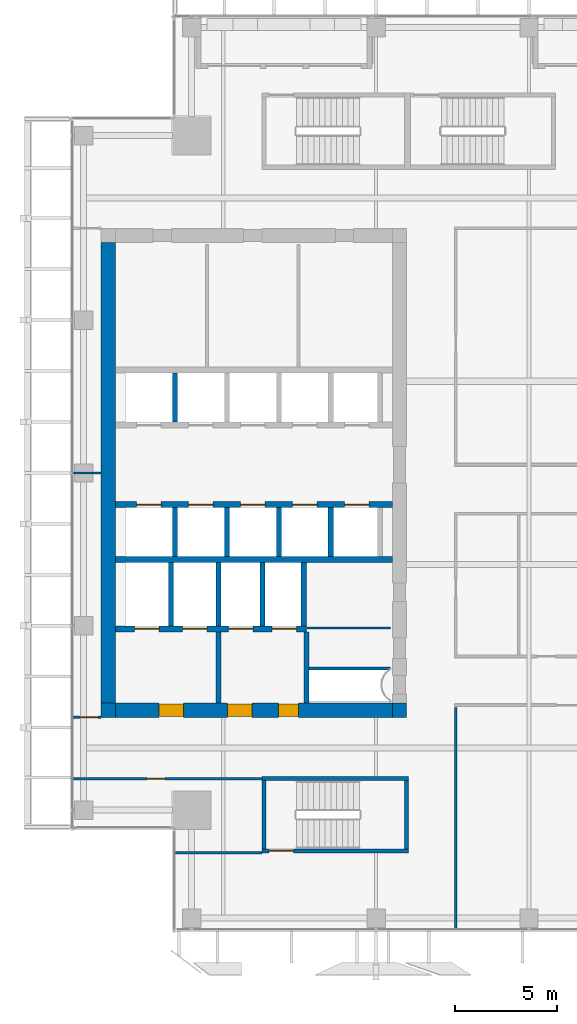
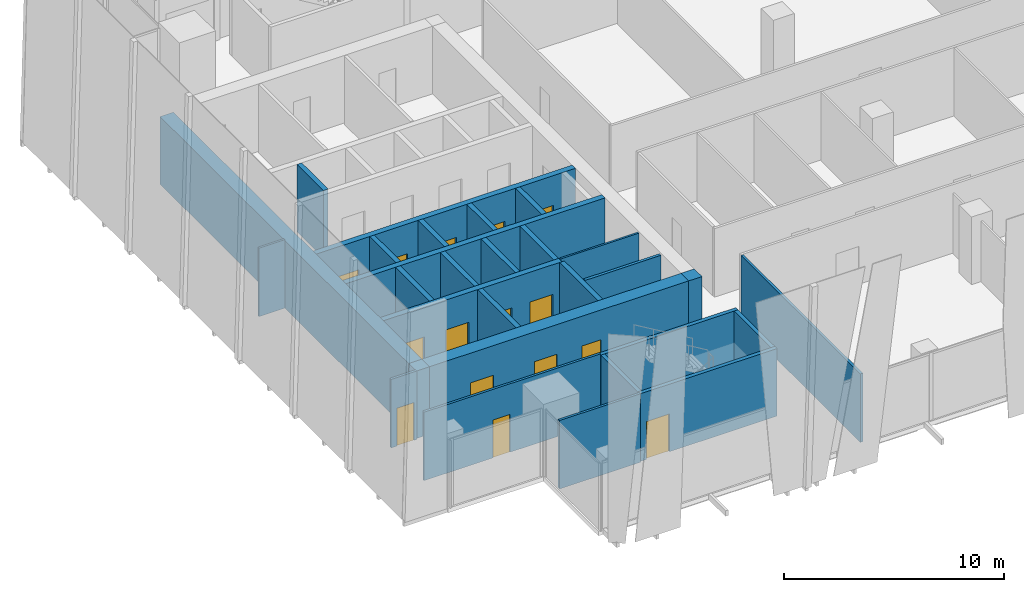
# One storey, part 26 of 33: 29 walls, 15 doors, 15 openings.
"""IFC4 building model written with IfcOpenShell, lengths in metres."""

from ifc_helpers import new_model, si_unit, direction, frame, frame_2d, origin, place, context, subcontext, project, spatial, rectangle, extrude, source, transform, mapped, material, layer, layer_set, type_object, element, fill, save


model = new_model("IFC4")

# Units and contexts
model_context = context("Model", 3, precision=1e-05, world=origin(), true_north=direction((0.0, 1.0)))
body_context = subcontext(model_context, "Body", "Model", "MODEL_VIEW")
ifc_project = project(units=[si_unit("LENGTHUNIT", "METRE"), si_unit("AREAUNIT", "SQUARE_METRE"), si_unit("VOLUMEUNIT", "CUBIC_METRE"), si_unit("PLANEANGLEUNIT", "RADIAN"), si_unit("MASSUNIT", "GRAM", prefix="KILO")], contexts=[model_context])

# Site, building, storey
site_placement = place(None, origin())
site = spatial("IfcSite", under=ifc_project, at=site_placement, CompositionType="ELEMENT")
building_placement = place(site_placement, origin())
building = spatial("IfcBuilding", under=site, at=building_placement, Name="Khomas Fold Tower", CompositionType="ELEMENT")
storey_placement = place(building_placement, frame((0.0, 0.0, 234.199951171875)))
storey = spatial("IfcBuildingStorey", under=building, at=storey_placement, Name="L52", CompositionType="ELEMENT", Elevation=234.199951171875)

# Wall
ifc_material_1 = material(Name="Concrete C50/60", Category="concrete")
ifc_layer_1 = layer(ifc_material_1, 0.199951171875)
ifc_layer_set_1 = layer_set([ifc_layer_1], Name="Concrete C50/60")
wall_type_1 = type_object("IfcWallType", Name="Stair wall 200", PredefinedType="SHEAR", material=ifc_layer_set_1)
shared_shape_1 = source(origin(), body_context, "Body", "SweptSolid", [
    extrude(rectangle(XDim=7.2001953125, YDim=0.199951171875, at=frame_2d((3.60009765625, 0.0))), origin(), (0.0, 0.0, 1.0), 3.75),
])
wall_1_placement = place(storey_placement, frame((13.89990234375, 12.0, 0.0), z_axis=(0.0, 0.0, 1.0), x_axis=(1.0, 0.0, 0.0)))
element("IfcWall", 1, at=wall_1_placement, inside=storey, type_object=wall_type_1, Name="Stair wall SW-ST2-NH", PredefinedType="SHEAR", context=body_context, shape_type="MappedRepresentation", body=[
    mapped(shared_shape_1, transform((0.0, 0.0, 0.0))),
])

# Wall, opening, door
wall_2_placement = place(storey_placement, frame((13.89990234375, 8.449951171875, 0.0), z_axis=(0.0, 0.0, 1.0), x_axis=(1.0, 0.0, 0.0)))
wall_2 = element("IfcWall", 2, at=wall_2_placement, inside=storey, type_object=wall_type_1, Name="Stair wall SW-ST2-S", PredefinedType="SHEAR", context=body_context, shape_type="MappedRepresentation", body=[
    mapped(shared_shape_1, transform((0.0, 0.0, 0.0))),
])
shared_shape_2 = source(origin(), body_context, "Body", "SweptSolid", [
    extrude(rectangle(XDim=1.199951171875, YDim=2.10009765625, at=frame_2d((0.60009765625, 1.050048828125))), frame((0.0, 0.10986328125, 0.0), z_axis=(0.0, -1.0, 0.0), x_axis=(1.0, 0.0, 0.0)), (0.0, 0.0, 1.0), 0.219970703125),
])
opening_1_placement = place(wall_2_placement, frame((0.35009765625, 0.0, 0.0)))
opening_1 = element("IfcOpeningElement", 3, at=opening_1_placement, cuts=wall_2, Name="Opening SD-ST2", PredefinedType="OPENING", context=body_context, shape_type="MappedRepresentation", body=[
    mapped(shared_shape_2, transform((0.0, 0.0, 0.0))),
])
ifc_material_2 = material(Name="Steel door leaf", Category="steel")
door_type_1 = type_object("IfcDoorType", Name="Stair door 1200x2100 right-hand", OperationType="SINGLE_SWING_RIGHT", PredefinedType="DOOR", material=ifc_material_2)
shared_shape_3 = source(origin(), body_context, "Body", "SweptSolid", [
    extrude(rectangle(XDim=1.199951171875, YDim=2.10009765625, at=frame_2d((0.60009765625, 1.050048828125))), frame((0.0, 0.02490234375, 0.0), z_axis=(0.0, -1.0, 0.0), x_axis=(1.0, 0.0, 0.0)), (0.0, 0.0, 1.0), 0.050048828125),
])
door_1_placement = place(opening_1_placement, origin())
door_1 = element("IfcDoor", 4, at=door_1_placement, inside=storey, type_object=door_type_1, Name="Stair door", OperationType="SINGLE_SWING_RIGHT", OverallHeight=2.10009765625, OverallWidth=1.199951171875, PredefinedType="DOOR", context=body_context, shape_type="MappedRepresentation", body=[
    mapped(shared_shape_3, transform((0.0, 0.0, 0.0))),
])
fill(opening_1, door_1)

# Walls
shared_shape_4 = source(origin(), body_context, "Body", "SweptSolid", [
    extrude(rectangle(XDim=3.349853515625, YDim=0.199951171875, at=frame_2d((1.6748046875, 0.0))), origin(), (0.0, 0.0, 1.0), 3.75),
])
for number, where, z_axis, x_axis, name in (
    (5, (21.0, 8.550048828125, 0.0), (0.0, 0.0, 1.0), (0.0, 1.0, 0.0), "Stair wall SW-ST2-E"),
    (6, (14.0, 8.550048828125, 0.0), (0.0, 0.0, 1.0), (0.0, 1.0, 0.0), "Stair wall SW-ST2-W"),
):
    element("IfcWall", number, at=place(storey_placement, frame(where, z_axis=z_axis, x_axis=x_axis)), inside=storey, type_object=wall_type_1, Name=name, PredefinedType="SHEAR", context=body_context, shape_type="MappedRepresentation", body=[
        mapped(shared_shape_4, transform((0.0, 0.0, 0.0))),
    ])
ifc_material_3 = material(Name="Concrete C50/60", Category="concrete")
ifc_layer_2 = layer(ifc_material_3, 0.25)
ifc_layer_set_2 = layer_set([ifc_layer_2], Name="Concrete C50/60")
wall_type_2 = type_object("IfcWallType", Name="Shaft wall 250", PredefinedType="STANDARD", material=ifc_layer_set_2)
shared_shape_5 = source(origin(), body_context, "Body", "SweptSolid", [
    extrude(rectangle(XDim=3.10009765625, YDim=0.25, at=frame_2d((1.550048828125, 0.0))), origin(), (0.0, 0.0, 1.0), 3.75),
])
for number, where, z_axis, x_axis, name in (
    (7, (9.425048828125, 19.5, 0.0), (0.0, 0.0, 1.0), (0.0, 1.0, 0.0), "Core wall SW-FS-P1"),
    (8, (11.77490234375, 19.5, 0.0), (0.0, 0.0, 1.0), (0.0, 1.0, 0.0), "Core wall SW-FS-P2"),
    (9, (13.925048828125, 19.5, 0.0), (0.0, 0.0, 1.0), (0.0, 1.0, 0.0), "Core wall SW-FS-P3"),
    (10, (15.949951171875, 19.5, 0.0), (0.0, 0.0, 1.0), (0.0, 1.0, 0.0), "Core wall SW-FS-PE"),
):
    element("IfcWall", number, at=place(storey_placement, frame(where, z_axis=z_axis, x_axis=x_axis)), inside=storey, type_object=wall_type_2, Name=name, PredefinedType="STANDARD", context=body_context, shape_type="MappedRepresentation", body=[
        mapped(shared_shape_5, transform((0.0, 0.0, 0.0))),
    ])
shared_shape_6 = source(origin(), body_context, "Body", "SweptSolid", [
    extrude(rectangle(XDim=2.39990234375, YDim=0.25, at=frame_2d((1.199951171875, 0.0))), origin(), (0.0, 0.0, 1.0), 3.75),
])
wall_3_placement = place(storey_placement, frame((9.625, 29.5, 0.0), z_axis=(0.0, 0.0, 1.0), x_axis=(0.0, 1.0, 0.0)))
element("IfcWall", 11, at=wall_3_placement, inside=storey, type_object=wall_type_2, Name="Core wall SW-HRN-P1", PredefinedType="STANDARD", context=body_context, shape_type="MappedRepresentation", body=[
    mapped(shared_shape_6, transform((0.0, 0.0, 0.0))),
])
shared_shape_7 = source(origin(), body_context, "Body", "SweptSolid", [
    extrude(rectangle(XDim=2.400146484375, YDim=0.25, at=frame_2d((1.2001953125, 0.0))), origin(), (0.0, 0.0, 1.0), 3.75),
])
for number, where, z_axis, x_axis, name in (
    (12, (17.27490234375, 22.89990234375, 0.0), (0.0, 0.0, 1.0), (0.0, 1.0, 0.0), "Core wall SW-HRS-MR-P1"),
    (13, (9.625, 22.89990234375, 0.0), (0.0, 0.0, 1.0), (0.0, 1.0, 0.0), "Core wall SW-HRS-P1"),
    (14, (12.175048828125, 22.89990234375, 0.0), (0.0, 0.0, 1.0), (0.0, 1.0, 0.0), "Core wall SW-HRS-P2"),
    (15, (14.72509765625, 22.89990234375, 0.0), (0.0, 0.0, 1.0), (0.0, 1.0, 0.0), "Core wall SW-HRS-PE"),
):
    element("IfcWall", number, at=place(storey_placement, frame(where, z_axis=z_axis, x_axis=x_axis)), inside=storey, type_object=wall_type_2, Name=name, PredefinedType="STANDARD", context=body_context, shape_type="MappedRepresentation", body=[
        mapped(shared_shape_7, transform((0.0, 0.0, 0.0))),
    ])

# Wall, openings, doors
ifc_material_4 = material(Name="Concrete C60/75", Category="concrete")
ifc_layer_3 = layer(ifc_material_4, 0.699951171875)
ifc_layer_set_3 = layer_set([ifc_layer_3], Name="Concrete C60/75")
wall_type_3 = type_object("IfcWallType", Name="Core wall 700", PredefinedType="SHEAR", material=ifc_layer_set_3)
shared_shape_8 = source(origin(), body_context, "Body", "SweptSolid", [
    extrude(rectangle(XDim=13.60009765625, YDim=0.699951171875, at=frame_2d((6.800048828125, 0.0))), origin(), (0.0, 0.0, 1.0), 3.75),
])
wall_4_placement = place(storey_placement, frame((6.699951171875, 15.35009765625, 0.0), z_axis=(0.0, 0.0, 1.0), x_axis=(1.0, 0.0, 0.0)))
wall_4 = element("IfcWall", 16, at=wall_4_placement, inside=storey, type_object=wall_type_3, Name="Core wall CW-U-S-L49", PredefinedType="SHEAR", context=body_context, shape_type="MappedRepresentation", body=[
    mapped(shared_shape_8, transform((0.0, 0.0, 0.0))),
])
shared_shape_9 = source(origin(), body_context, "Body", "SweptSolid", [
    extrude(rectangle(XDim=1.199951171875, YDim=2.10009765625, at=frame_2d((0.60009765625, 1.050048828125))), frame((0.0, 0.35986328125, 0.0), z_axis=(0.0, -1.0, 0.0), x_axis=(1.0, 0.0, 0.0)), (0.0, 0.0, 1.0), 0.719970703125),
])
opening_2_placement = place(wall_4_placement, frame((5.5, 0.0, 0.0)))
opening_2 = element("IfcOpeningElement", 17, at=opening_2_placement, cuts=wall_4, Name="Opening 0009", PredefinedType="OPENING", context=body_context, shape_type="MappedRepresentation", body=[
    mapped(shared_shape_9, transform((0.0, 0.0, 0.0))),
])
opening_3_placement = place(wall_4_placement, frame((2.14990234375, 0.0, 0.0)))
opening_3 = element("IfcOpeningElement", 18, at=opening_3_placement, cuts=wall_4, Name="Opening 0009", PredefinedType="OPENING", context=body_context, shape_type="MappedRepresentation", body=[
    mapped(shared_shape_9, transform((0.0, 0.0, 0.0))),
])
shared_shape_10 = source(origin(), body_context, "Body", "SweptSolid", [
    extrude(rectangle(XDim=1.0, YDim=2.10009765625, at=frame_2d((0.5, 1.050048828125))), frame((0.0, 0.35986328125, 0.0), z_axis=(0.0, -1.0, 0.0), x_axis=(1.0, 0.0, 0.0)), (0.0, 0.0, 1.0), 0.719970703125),
])
opening_4_placement = place(wall_4_placement, frame((8.0, 0.0, 0.0)))
opening_4 = element("IfcOpeningElement", 19, at=opening_4_placement, cuts=wall_4, Name="Opening 0010", PredefinedType="OPENING", context=body_context, shape_type="MappedRepresentation", body=[
    mapped(shared_shape_10, transform((0.0, 0.0, 0.0))),
])
ifc_material_5 = material(Name="Steel door leaf", Category="steel")
door_type_2 = type_object("IfcDoorType", Name="Lobby door 1200x2100 right-hand", OperationType="SINGLE_SWING_RIGHT", PredefinedType="DOOR", material=ifc_material_5)
shared_shape_11 = source(origin(), body_context, "Body", "SweptSolid", [
    extrude(rectangle(XDim=1.199951171875, YDim=2.10009765625, at=frame_2d((0.60009765625, 1.050048828125))), frame((0.0, 0.2998046875, 0.0), z_axis=(0.0, -1.0, 0.0), x_axis=(1.0, 0.0, 0.0)), (0.0, 0.0, 1.0), 0.599853515625),
])
door_2_placement = place(opening_2_placement, origin())
door_2 = element("IfcDoor", 20, at=door_2_placement, inside=storey, type_object=door_type_2, Name="Lobby door", OperationType="SINGLE_SWING_RIGHT", OverallHeight=2.10009765625, OverallWidth=1.199951171875, PredefinedType="DOOR", context=body_context, shape_type="MappedRepresentation", body=[
    mapped(shared_shape_11, transform((0.0, 0.0, 0.0))),
])
fill(opening_2, door_2)
door_3_placement = place(opening_3_placement, origin())
door_3 = element("IfcDoor", 21, at=door_3_placement, inside=storey, type_object=door_type_2, Name="Lobby door", OperationType="SINGLE_SWING_RIGHT", OverallHeight=2.10009765625, OverallWidth=1.199951171875, PredefinedType="DOOR", context=body_context, shape_type="MappedRepresentation", body=[
    mapped(shared_shape_11, transform((0.0, 0.0, 0.0))),
])
fill(opening_3, door_3)
ifc_material_6 = material(Name="Steel door leaf", Category="steel")
door_type_3 = type_object("IfcDoorType", Name="Stair door 1000x2100 right-hand", OperationType="SINGLE_SWING_RIGHT", PredefinedType="DOOR", material=ifc_material_6)
shared_shape_12 = source(origin(), body_context, "Body", "SweptSolid", [
    extrude(rectangle(XDim=1.0, YDim=2.10009765625, at=frame_2d((0.5, 1.050048828125))), frame((0.0, 0.2998046875, 0.0), z_axis=(0.0, -1.0, 0.0), x_axis=(1.0, 0.0, 0.0)), (0.0, 0.0, 1.0), 0.599853515625),
])
door_4_placement = place(opening_4_placement, origin())
door_4 = element("IfcDoor", 22, at=door_4_placement, inside=storey, type_object=door_type_3, Name="Stair door", OperationType="SINGLE_SWING_RIGHT", OverallHeight=2.10009765625, OverallWidth=1.0, PredefinedType="DOOR", context=body_context, shape_type="MappedRepresentation", body=[
    mapped(shared_shape_12, transform((0.0, 0.0, 0.0))),
])
fill(opening_4, door_4)

# Walls
ifc_material_7 = material(Name="Concrete C60/75", Category="concrete")
ifc_layer_4 = layer(ifc_material_7, 0.699951171875)
ifc_layer_set_4 = layer_set([ifc_layer_4], Name="Concrete C60/75")
wall_type_4 = type_object("IfcWallType", Name="Core corner wall 700", PredefinedType="SHEAR", material=ifc_layer_set_4)
shared_shape_13 = source(origin(), body_context, "Body", "SweptSolid", [
    extrude(rectangle(XDim=0.699951171875, YDim=0.699951171875, at=frame_2d((0.35009765625, 0.0))), origin(), (0.0, 0.0, 1.0), 3.75),
])
for number, where, z_axis, x_axis, name in (
    (23, (20.300048828125, 15.35009765625, 0.0), (0.0, 0.0, 1.0), (1.0, 0.0, 0.0), "Core wall CW-U-SE-L49"),
    (24, (6.0, 15.35009765625, 0.0), (0.0, 0.0, 1.0), (1.0, 0.0, 0.0), "Core wall CW-U-SW-L49"),
):
    element("IfcWall", number, at=place(storey_placement, frame(where, z_axis=z_axis, x_axis=x_axis)), inside=storey, type_object=wall_type_4, Name=name, PredefinedType="SHEAR", context=body_context, shape_type="MappedRepresentation", body=[
        mapped(shared_shape_13, transform((0.0, 0.0, 0.0))),
    ])
shared_shape_14 = source(origin(), body_context, "Body", "SweptSolid", [
    extrude(rectangle(XDim=22.60009765625, YDim=0.699951171875, at=frame_2d((11.300048828125, 0.0))), origin(), (0.0, 0.0, 1.0), 3.75),
])
wall_5_placement = place(storey_placement, frame((6.35009765625, 15.699951171875, 0.0), z_axis=(0.0, 0.0, 1.0), x_axis=(0.0, 1.0, 0.0)))
element("IfcWall", 25, at=wall_5_placement, inside=storey, type_object=wall_type_3, Name="Core wall CW-U-W-L49", PredefinedType="SHEAR", context=body_context, shape_type="MappedRepresentation", body=[
    mapped(shared_shape_14, transform((0.0, 0.0, 0.0))),
])
ifc_material_8 = material(Name="Concrete C50/60", Category="concrete")
ifc_layer_5 = layer(ifc_material_8, 0.300048828125)
ifc_layer_set_5 = layer_set([ifc_layer_5], Name="Concrete C50/60")
wall_type_5 = type_object("IfcWallType", Name="Shaft wall 300", PredefinedType="STANDARD", material=ifc_layer_set_5)
shared_shape_15 = source(origin(), body_context, "Body", "SweptSolid", [
    extrude(rectangle(XDim=13.60009765625, YDim=0.300048828125, at=frame_2d((6.800048828125, 0.0))), origin(), (0.0, 0.0, 1.0), 3.75),
])
wall_6_placement = place(storey_placement, frame((6.699951171875, 22.75, 0.0), z_axis=(0.0, 0.0, 1.0), x_axis=(1.0, 0.0, 0.0)))
element("IfcWall", 26, at=wall_6_placement, inside=storey, type_object=wall_type_5, Name="Core wall SW-FS-B", PredefinedType="STANDARD", context=body_context, shape_type="MappedRepresentation", body=[
    mapped(shared_shape_15, transform((0.0, 0.0, 0.0))),
])

# Wall, openings, doors
wall_7_placement = place(storey_placement, frame((6.699951171875, 25.449951171875, 0.0), z_axis=(0.0, 0.0, 1.0), x_axis=(1.0, 0.0, 0.0)))
wall_7 = element("IfcWall", 27, at=wall_7_placement, inside=storey, type_object=wall_type_5, Name="Core wall SW-HRS-F", PredefinedType="STANDARD", context=body_context, shape_type="MappedRepresentation", body=[
    mapped(shared_shape_15, transform((0.0, 0.0, 0.0))),
])
shared_shape_16 = source(origin(), body_context, "Body", "SweptSolid", [
    extrude(rectangle(XDim=1.199951171875, YDim=2.10009765625, at=frame_2d((0.60009765625, 1.050048828125))), frame((0.0, 0.159912109375, 0.0), z_axis=(0.0, -1.0, 0.0), x_axis=(1.0, 0.0, 0.0)), (0.0, 0.0, 1.0), 0.320068359375),
])
opening_5_placement = place(wall_7_placement, frame((1.050048828125, 0.0, 0.0)))
opening_5 = element("IfcOpeningElement", 28, at=opening_5_placement, cuts=wall_7, Name="Opening LD-HR1", PredefinedType="OPENING", context=body_context, shape_type="MappedRepresentation", body=[
    mapped(shared_shape_16, transform((0.0, 0.0, 0.0))),
])
opening_6_placement = place(wall_7_placement, frame((3.60009765625, 0.0, 0.0)))
opening_6 = element("IfcOpeningElement", 29, at=opening_6_placement, cuts=wall_7, Name="Opening LD-HR2", PredefinedType="OPENING", context=body_context, shape_type="MappedRepresentation", body=[
    mapped(shared_shape_16, transform((0.0, 0.0, 0.0))),
])
opening_7_placement = place(wall_7_placement, frame((6.14990234375, 0.0, 0.0)))
opening_7 = element("IfcOpeningElement", 30, at=opening_7_placement, cuts=wall_7, Name="Opening LD-HR3", PredefinedType="OPENING", context=body_context, shape_type="MappedRepresentation", body=[
    mapped(shared_shape_16, transform((0.0, 0.0, 0.0))),
])
opening_8_placement = place(wall_7_placement, frame((8.699951171875, 0.0, 0.0)))
opening_8 = element("IfcOpeningElement", 31, at=opening_8_placement, cuts=wall_7, Name="Opening LD-MR1", PredefinedType="OPENING", context=body_context, shape_type="MappedRepresentation", body=[
    mapped(shared_shape_16, transform((0.0, 0.0, 0.0))),
])
opening_9_placement = place(wall_7_placement, frame((11.25, 0.0, 0.0)))
opening_9 = element("IfcOpeningElement", 32, at=opening_9_placement, cuts=wall_7, Name="Opening LD-MR2", PredefinedType="OPENING", context=body_context, shape_type="MappedRepresentation", body=[
    mapped(shared_shape_16, transform((0.0, 0.0, 0.0))),
])
ifc_material_9 = material(Name="Steel door leaf", Category="steel")
door_type_4 = type_object("IfcDoorType", Name="Landing door 1200x2100", OperationType="DOUBLE_DOOR_SLIDING", PredefinedType="DOOR", material=ifc_material_9)
door_5_placement = place(opening_5_placement, origin())
door_5 = element("IfcDoor", 33, at=door_5_placement, inside=storey, type_object=door_type_4, Name="Lift landing door", OperationType="DOUBLE_DOOR_SLIDING", OverallHeight=2.10009765625, OverallWidth=1.199951171875, PredefinedType="DOOR", context=body_context, shape_type="MappedRepresentation", body=[
    mapped(shared_shape_3, transform((0.0, 0.0, 0.0))),
])
fill(opening_5, door_5)
door_6_placement = place(opening_6_placement, origin())
door_6 = element("IfcDoor", 34, at=door_6_placement, inside=storey, type_object=door_type_4, Name="Lift landing door", OperationType="DOUBLE_DOOR_SLIDING", OverallHeight=2.10009765625, OverallWidth=1.199951171875, PredefinedType="DOOR", context=body_context, shape_type="MappedRepresentation", body=[
    mapped(shared_shape_3, transform((0.0, 0.0, 0.0))),
])
fill(opening_6, door_6)
door_7_placement = place(opening_7_placement, origin())
door_7 = element("IfcDoor", 35, at=door_7_placement, inside=storey, type_object=door_type_4, Name="Lift landing door", OperationType="DOUBLE_DOOR_SLIDING", OverallHeight=2.10009765625, OverallWidth=1.199951171875, PredefinedType="DOOR", context=body_context, shape_type="MappedRepresentation", body=[
    mapped(shared_shape_3, transform((0.0, 0.0, 0.0))),
])
fill(opening_7, door_7)
door_8_placement = place(opening_8_placement, origin())
door_8 = element("IfcDoor", 36, at=door_8_placement, inside=storey, type_object=door_type_4, Name="Lift landing door", OperationType="DOUBLE_DOOR_SLIDING", OverallHeight=2.10009765625, OverallWidth=1.199951171875, PredefinedType="DOOR", context=body_context, shape_type="MappedRepresentation", body=[
    mapped(shared_shape_3, transform((0.0, 0.0, 0.0))),
])
fill(opening_8, door_8)
door_9_placement = place(opening_9_placement, origin())
door_9 = element("IfcDoor", 37, at=door_9_placement, inside=storey, type_object=door_type_4, Name="Lift landing door", OperationType="DOUBLE_DOOR_SLIDING", OverallHeight=2.10009765625, OverallWidth=1.199951171875, PredefinedType="DOOR", context=body_context, shape_type="MappedRepresentation", body=[
    mapped(shared_shape_3, transform((0.0, 0.0, 0.0))),
])
fill(opening_9, door_9)

shared_shape_17 = source(origin(), body_context, "Body", "SweptSolid", [
    extrude(rectangle(XDim=9.375, YDim=0.300048828125, at=frame_2d((4.6875, 0.0))), origin(), (0.0, 0.0, 1.0), 3.75),
])
wall_8_placement = place(storey_placement, frame((6.699951171875, 19.35009765625, 0.0), z_axis=(0.0, 0.0, 1.0), x_axis=(1.0, 0.0, 0.0)))
wall_8 = element("IfcWall", 38, at=wall_8_placement, inside=storey, type_object=wall_type_5, Name="Core wall SW-FS-F", PredefinedType="STANDARD", context=body_context, shape_type="MappedRepresentation", body=[
    mapped(shared_shape_17, transform((0.0, 0.0, 0.0))),
])
opening_10_placement = place(wall_8_placement, frame((0.949951171875, 0.0, 0.0)))
opening_10 = element("IfcOpeningElement", 39, at=opening_10_placement, cuts=wall_8, Name="Opening LD-SV1", PredefinedType="OPENING", context=body_context, shape_type="MappedRepresentation", body=[
    mapped(shared_shape_16, transform((0.0, 0.0, 0.0))),
])
opening_11_placement = place(wall_8_placement, frame((3.300048828125, 0.0, 0.0)))
opening_11 = element("IfcOpeningElement", 40, at=opening_11_placement, cuts=wall_8, Name="Opening LD-SV2", PredefinedType="OPENING", context=body_context, shape_type="MappedRepresentation", body=[
    mapped(shared_shape_16, transform((0.0, 0.0, 0.0))),
])
opening_12_placement = place(wall_8_placement, frame((5.550048828125, 0.0, 0.0)))
opening_12 = element("IfcOpeningElement", 41, at=opening_12_placement, cuts=wall_8, Name="Opening LD-FF1", PredefinedType="OPENING", context=body_context, shape_type="MappedRepresentation", body=[
    mapped(shared_shape_16, transform((0.0, 0.0, 0.0))),
])
opening_13_placement = place(wall_8_placement, frame((7.699951171875, 0.0, 0.0)))
opening_13 = element("IfcOpeningElement", 42, at=opening_13_placement, cuts=wall_8, Name="Opening LD-FF2", PredefinedType="OPENING", context=body_context, shape_type="MappedRepresentation", body=[
    mapped(shared_shape_16, transform((0.0, 0.0, 0.0))),
])
door_10_placement = place(opening_10_placement, origin())
door_10 = element("IfcDoor", 43, at=door_10_placement, inside=storey, type_object=door_type_4, Name="Lift landing door", OperationType="DOUBLE_DOOR_SLIDING", OverallHeight=2.10009765625, OverallWidth=1.199951171875, PredefinedType="DOOR", context=body_context, shape_type="MappedRepresentation", body=[
    mapped(shared_shape_3, transform((0.0, 0.0, 0.0))),
])
fill(opening_10, door_10)
door_11_placement = place(opening_11_placement, origin())
door_11 = element("IfcDoor", 44, at=door_11_placement, inside=storey, type_object=door_type_4, Name="Lift landing door", OperationType="DOUBLE_DOOR_SLIDING", OverallHeight=2.10009765625, OverallWidth=1.199951171875, PredefinedType="DOOR", context=body_context, shape_type="MappedRepresentation", body=[
    mapped(shared_shape_3, transform((0.0, 0.0, 0.0))),
])
fill(opening_11, door_11)
door_12_placement = place(opening_12_placement, origin())
door_12 = element("IfcDoor", 45, at=door_12_placement, inside=storey, type_object=door_type_4, Name="Lift landing door", OperationType="DOUBLE_DOOR_SLIDING", OverallHeight=2.10009765625, OverallWidth=1.199951171875, PredefinedType="DOOR", context=body_context, shape_type="MappedRepresentation", body=[
    mapped(shared_shape_3, transform((0.0, 0.0, 0.0))),
])
fill(opening_12, door_12)
door_13_placement = place(opening_13_placement, origin())
door_13 = element("IfcDoor", 46, at=door_13_placement, inside=storey, type_object=door_type_4, Name="Lift landing door", OperationType="DOUBLE_DOOR_SLIDING", OverallHeight=2.10009765625, OverallWidth=1.199951171875, PredefinedType="DOOR", context=body_context, shape_type="MappedRepresentation", body=[
    mapped(shared_shape_3, transform((0.0, 0.0, 0.0))),
])
fill(opening_13, door_13)

# Walls
ifc_material_10 = material(Name="Concrete C50/60", Category="concrete")
ifc_layer_6 = layer(ifc_material_10, 0.25)
ifc_layer_set_6 = layer_set([ifc_layer_6], Name="Concrete C50/60")
wall_type_6 = type_object("IfcWallType", Name="Lobby wall 250", PredefinedType="STANDARD", material=ifc_layer_set_6)
shared_shape_18 = source(origin(), body_context, "Body", "SweptSolid", [
    extrude(rectangle(XDim=3.5, YDim=0.25, at=frame_2d((1.75, 0.0))), origin(), (0.0, 0.0, 1.0), 3.75),
])
for number, where, z_axis, x_axis, name in (
    (47, (16.074951171875, 15.699951171875, 0.0), (0.0, 0.0, 1.0), (0.0, 1.0, 0.0), "Core wall SW-FS-LOB-E"),
    (48, (11.77490234375, 15.699951171875, 0.0), (0.0, 0.0, 1.0), (0.0, 1.0, 0.0), "Core wall SW-FS-SEP"),
):
    element("IfcWall", number, at=place(storey_placement, frame(where, z_axis=z_axis, x_axis=x_axis)), inside=storey, type_object=wall_type_6, Name=name, PredefinedType="STANDARD", context=body_context, shape_type="MappedRepresentation", body=[
        mapped(shared_shape_18, transform((0.0, 0.0, 0.0))),
    ])
ifc_material_11 = material(Name="Plasterboard fire partition")
ifc_layer_7 = layer(ifc_material_11, 0.14990234375)
ifc_layer_set_7 = layer_set([ifc_layer_7], Name="Plasterboard fire partition")
wall_type_7 = type_object("IfcWallType", Name="Plant room wall PW3 150", PredefinedType="PARTITIONING", material=ifc_layer_set_7)
shared_shape_19 = source(origin(), body_context, "Body", "SweptSolid", [
    extrude(rectangle(XDim=4.0, YDim=0.14990234375, at=frame_2d((2.0, 0.0))), origin(), (0.0, 0.0, 1.0), 3.800048828125),
])
wall_9_placement = place(storey_placement, frame((16.199951171875, 17.39990234375, 0.0), z_axis=(0.0, 0.0, 1.0), x_axis=(1.0, 0.0, 0.0)))
element("IfcWall", 49, at=wall_9_placement, inside=storey, type_object=wall_type_7, Name="Plant room wall", PredefinedType="PARTITIONING", context=body_context, shape_type="MappedRepresentation", body=[
    mapped(shared_shape_19, transform((0.0, 0.0, 0.0))),
])
ifc_material_12 = material(Name="Plasterboard partition")
ifc_layer_8 = layer(ifc_material_12, 0.10009765625)
ifc_layer_set_8 = layer_set([ifc_layer_8], Name="Plasterboard partition")
wall_type_8 = type_object("IfcWallType", Name="Partition PW1 100", PredefinedType="PARTITIONING", material=ifc_layer_set_8)
shared_shape_20 = source(origin(), body_context, "Body", "SweptSolid", [
    extrude(rectangle(XDim=4.099853515625, YDim=0.10009765625, at=frame_2d((2.0498046875, 0.0))), origin(), (0.0, 0.0, 1.0), 3.800048828125),
])
wall_10_placement = place(storey_placement, frame((16.10009765625, 19.39990234375, 0.0), z_axis=(0.0, 0.0, 1.0), x_axis=(1.0, 0.0, 0.0)))
element("IfcWall", 50, at=wall_10_placement, inside=storey, type_object=wall_type_8, Name="Partition", PredefinedType="PARTITIONING", context=body_context, shape_type="MappedRepresentation", body=[
    mapped(shared_shape_20, transform((0.0, 0.0, 0.0))),
])

# Wall, opening, door
ifc_material_13 = material(Name="Plasterboard partition")
ifc_layer_9 = layer(ifc_material_13, 0.125)
ifc_layer_set_9 = layer_set([ifc_layer_9], Name="Plasterboard partition")
wall_type_9 = type_object("IfcWallType", Name="Partition PW2 125", PredefinedType="PARTITIONING", material=ifc_layer_set_9)
shared_shape_21 = source(origin(), body_context, "Body", "SweptSolid", [
    extrude(rectangle(XDim=9.25, YDim=0.125, at=frame_2d((4.625, 0.0))), origin(), (0.0, 0.0, 1.0), 3.800048828125),
])
wall_11_placement = place(storey_placement, frame((4.64990234375, 12.0, 0.0), z_axis=(0.0, 0.0, 1.0), x_axis=(1.0, 0.0, 0.0)))
wall_11 = element("IfcWall", 51, at=wall_11_placement, inside=storey, type_object=wall_type_9, Name="Partition", PredefinedType="PARTITIONING", context=body_context, shape_type="MappedRepresentation", body=[
    mapped(shared_shape_21, transform((0.0, 0.0, 0.0))),
])
shared_shape_22 = source(origin(), body_context, "Body", "SweptSolid", [
    extrude(rectangle(XDim=0.89990234375, YDim=2.10009765625, at=frame_2d((0.449951171875, 1.050048828125))), frame((0.0, 0.072509765625, 0.0), z_axis=(0.0, -1.0, 0.0), x_axis=(1.0, 0.0, 0.0)), (0.0, 0.0, 1.0), 0.14501953125),
])
opening_14_placement = place(wall_11_placement, frame((3.60009765625, 0.0, 0.0)))
opening_14 = element("IfcOpeningElement", 52, at=opening_14_placement, cuts=wall_11, Name="Opening 0007", PredefinedType="OPENING", context=body_context, shape_type="MappedRepresentation", body=[
    mapped(shared_shape_22, transform((0.0, 0.0, 0.0))),
])
ifc_material_14 = material(Name="Timber door leaf", Category="wood")
door_type_5 = type_object("IfcDoorType", Name="Door 900x2100 left-hand", OperationType="SINGLE_SWING_LEFT", PredefinedType="DOOR", material=ifc_material_14)
shared_shape_23 = source(origin(), body_context, "Body", "SweptSolid", [
    extrude(rectangle(XDim=0.89990234375, YDim=2.10009765625, at=frame_2d((0.449951171875, 1.050048828125))), frame((0.0, 0.02490234375, 0.0), z_axis=(0.0, -1.0, 0.0), x_axis=(1.0, 0.0, 0.0)), (0.0, 0.0, 1.0), 0.050048828125),
])
door_14_placement = place(opening_14_placement, origin())
door_14 = element("IfcDoor", 53, at=door_14_placement, inside=storey, type_object=door_type_5, Name="Door", OperationType="SINGLE_SWING_LEFT", OverallHeight=2.10009765625, OverallWidth=0.89990234375, PredefinedType="DOOR", context=body_context, shape_type="MappedRepresentation", body=[
    mapped(shared_shape_23, transform((0.0, 0.0, 0.0))),
])
fill(opening_14, door_14)

# Walls
shared_shape_24 = source(origin(), body_context, "Body", "SweptSolid", [
    extrude(rectangle(XDim=10.85009765625, YDim=0.125, at=frame_2d((5.425048828125, 0.0))), origin(), (0.0, 0.0, 1.0), 3.800048828125),
])
wall_12_placement = place(storey_placement, frame((23.39990234375, 4.64990234375, 0.0), z_axis=(0.0, 0.0, 1.0), x_axis=(0.0, 1.0, 0.0)))
element("IfcWall", 54, at=wall_12_placement, inside=storey, type_object=wall_type_9, Name="Partition", PredefinedType="PARTITIONING", context=body_context, shape_type="MappedRepresentation", body=[
    mapped(shared_shape_24, transform((0.0, 0.0, 0.0))),
])
shared_shape_25 = source(origin(), body_context, "Body", "SweptSolid", [
    extrude(rectangle(XDim=4.25, YDim=0.125, at=frame_2d((2.125, 0.0))), origin(), (0.0, 0.0, 1.0), 3.800048828125),
])
wall_13_placement = place(storey_placement, frame((9.64990234375, 8.35009765625, 0.0), z_axis=(0.0, 0.0, 1.0), x_axis=(1.0, 0.0, 0.0)))
element("IfcWall", 55, at=wall_13_placement, inside=storey, type_object=wall_type_9, Name="Partition", PredefinedType="PARTITIONING", context=body_context, shape_type="MappedRepresentation", body=[
    mapped(shared_shape_25, transform((0.0, 0.0, 0.0))),
])

# Wall, opening, door
shared_shape_26 = source(origin(), body_context, "Body", "SweptSolid", [
    extrude(rectangle(XDim=1.35009765625, YDim=0.125, at=frame_2d((0.675048828125, 0.0))), origin(), (0.0, 0.0, 1.0), 3.800048828125),
])
wall_14_placement = place(storey_placement, frame((4.64990234375, 15.0, 0.0), z_axis=(0.0, 0.0, 1.0), x_axis=(1.0, 0.0, 0.0)))
wall_14 = element("IfcWall", 56, at=wall_14_placement, inside=storey, type_object=wall_type_9, Name="Partition", PredefinedType="PARTITIONING", context=body_context, shape_type="MappedRepresentation", body=[
    mapped(shared_shape_26, transform((0.0, 0.0, 0.0))),
])
opening_15_placement = place(wall_14_placement, frame((0.300048828125, 0.0, 0.0)))
opening_15 = element("IfcOpeningElement", 57, at=opening_15_placement, cuts=wall_14, Name="Opening 0007", PredefinedType="OPENING", context=body_context, shape_type="MappedRepresentation", body=[
    mapped(shared_shape_22, transform((0.0, 0.0, 0.0))),
])
door_15_placement = place(opening_15_placement, origin())
door_15 = element("IfcDoor", 58, at=door_15_placement, inside=storey, type_object=door_type_5, Name="Door", OperationType="SINGLE_SWING_LEFT", OverallHeight=2.10009765625, OverallWidth=0.89990234375, PredefinedType="DOOR", context=body_context, shape_type="MappedRepresentation", body=[
    mapped(shared_shape_23, transform((0.0, 0.0, 0.0))),
])
fill(opening_15, door_15)

# Wall
shared_shape_27 = source(origin(), body_context, "Body", "SweptSolid", [
    extrude(rectangle(XDim=1.35009765625, YDim=0.10009765625, at=frame_2d((0.675048828125, 0.0))), origin(), (0.0, 0.0, 1.0), 3.800048828125),
])
wall_15_placement = place(storey_placement, frame((4.64990234375, 27.0, 0.0), z_axis=(0.0, 0.0, 1.0), x_axis=(1.0, 0.0, 0.0)))
element("IfcWall", 59, at=wall_15_placement, inside=storey, type_object=wall_type_8, Name="Partition", PredefinedType="PARTITIONING", context=body_context, shape_type="MappedRepresentation", body=[
    mapped(shared_shape_27, transform((0.0, 0.0, 0.0))),
])

save(model, "model.ifc")
